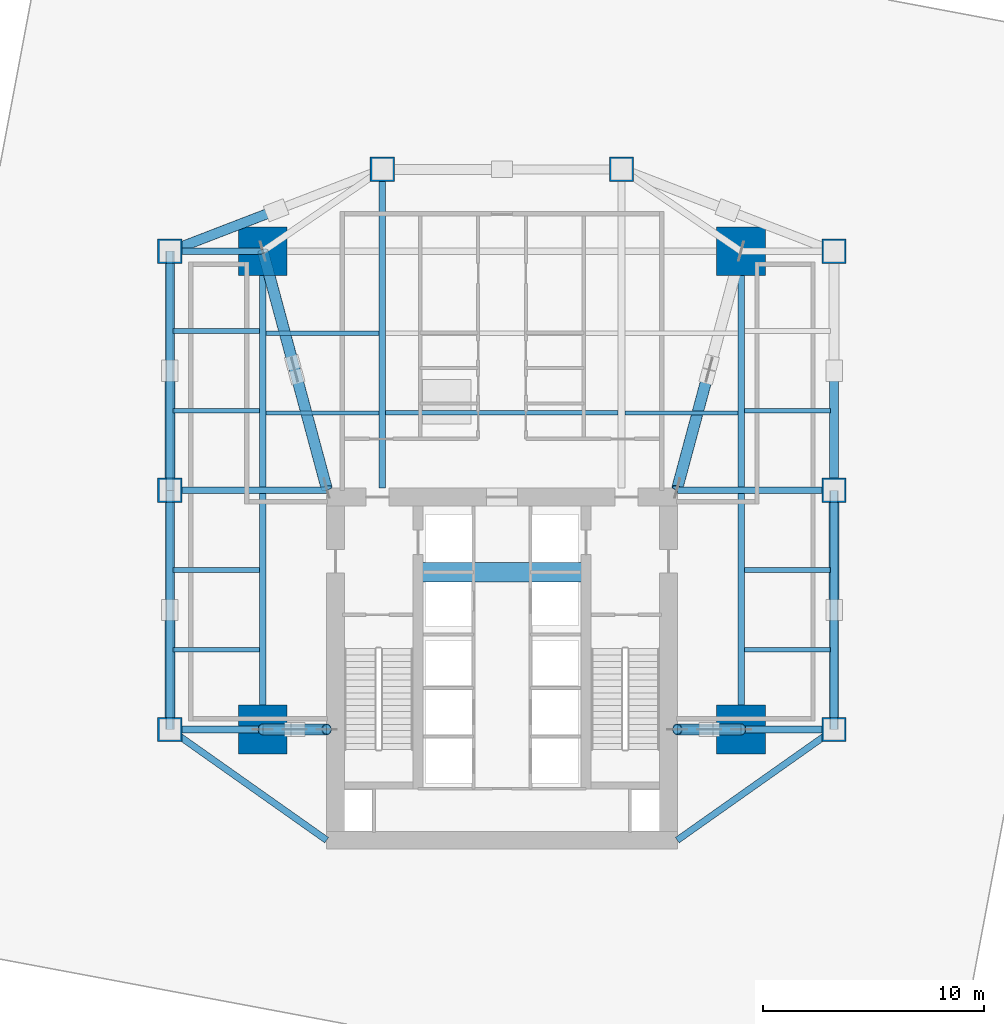
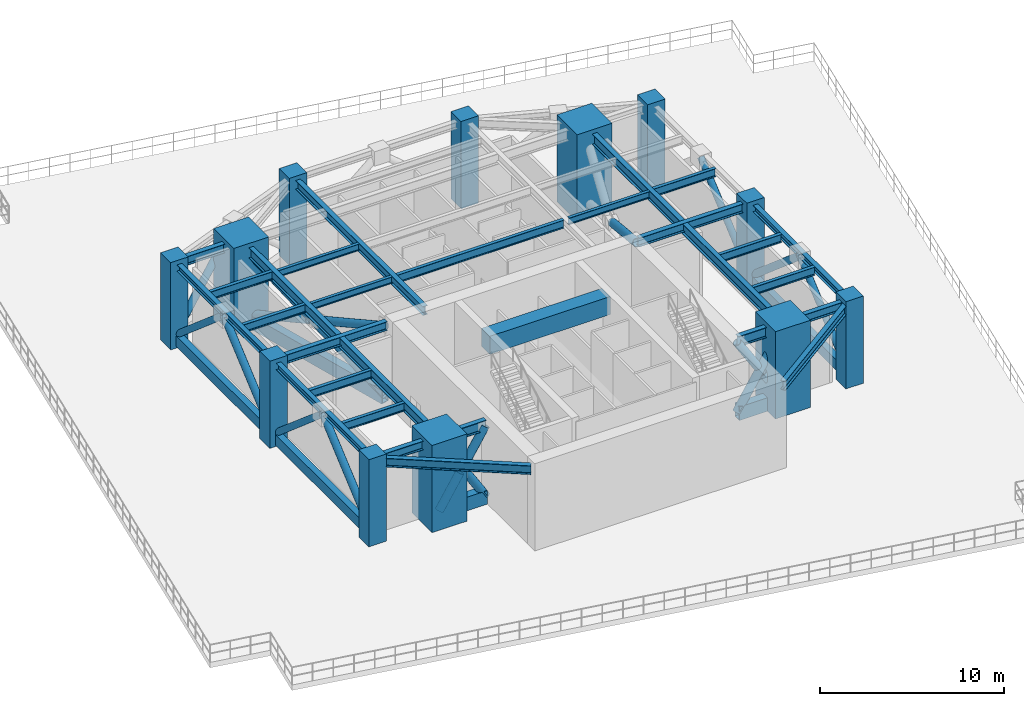
# One storey, part 1 of 10: 30 beams, 21 members, 12 columns.
"""IFC4 building model written with IfcOpenShell, lengths in metres."""

from ifc_helpers import new_model, si_unit, direction, frame, origin, origin_2d, place, context, subcontext, project, spatial, rectangle, hollow_rectangle, hollow_circle, i_section, extrude, source, transform, mapped, material, material_profile, profile_set, type_object, type_shapes, element, save


model = new_model("IFC4")

# Units and contexts
model_context = context("Model", 3, precision=1e-05, world=origin(), true_north=direction((0.0, 1.0)))
body_context = subcontext(model_context, "Body", "Model", "MODEL_VIEW")
ifc_project = project(units=[si_unit("LENGTHUNIT", "METRE"), si_unit("AREAUNIT", "SQUARE_METRE"), si_unit("VOLUMEUNIT", "CUBIC_METRE"), si_unit("PLANEANGLEUNIT", "RADIAN"), si_unit("MASSUNIT", "GRAM", prefix="KILO")], contexts=[model_context])

# Site, building, storey
site_placement = place(None, origin())
site = spatial("IfcSite", under=ifc_project, at=site_placement, CompositionType="ELEMENT")
building_placement = place(site_placement, origin())
building = spatial("IfcBuilding", under=site, at=building_placement, Name="Krantzveldt Concourse Tower", CompositionType="ELEMENT")
storey_placement = place(building_placement, frame((0.0, 0.0, 80.300048828125)))
storey = spatial("IfcBuildingStorey", under=building, at=storey_placement, Name="L19", CompositionType="ELEMENT", Elevation=80.300048828125)

# Columns
ifc_material_1 = material(Name="Concrete C60/75", Category="concrete")
ifc_material_profile_1 = material_profile(ifc_material_1, rectangle(XDim=2.199951171875, YDim=2.199951171875, at=origin_2d()), Name="Concrete C60/75", Category="concrete")
ifc_profile_set_1 = profile_set([ifc_material_profile_1], Name="Concrete C60/75 - RC 2200x2200")
column_type_1 = type_object("IfcColumnType", Name="COL-MC-2200", PredefinedType="USERDEFINED", material=ifc_profile_set_1)
shared_shape_1 = source(origin(), body_context, "Body", "SweptSolid", [
    extrude(rectangle(XDim=2.199951171875, YDim=2.199951171875, at=origin_2d()), origin(), (0.0, 0.0, 1.0), 5.800048828125),
])
type_shapes(column_type_1, [shared_shape_1])
for number, where, z_axis, x_axis, name in (
    (1, (25.199951171875, 15.89990234375, 0.0), (0.0, 0.0, 1.0), (1.0, 0.0, 0.0), "MC-SW-L19"),
    (2, (46.800048828125, 15.89990234375, 0.0), (0.0, 0.0, 1.0), (1.0, 0.0, 0.0), "MC-SE-L19"),
    (3, (46.800048828125, 37.5, 0.0), (0.0, 0.0, 1.0), (1.0, 0.0, 0.0), "MC-NE-L19"),
    (4, (25.199951171875, 37.5, 0.0), (0.0, 0.0, 1.0), (1.0, 0.0, 0.0), "MC-NW-L19"),
):
    element("IfcColumn", number, at=place(storey_placement, frame(where, z_axis=z_axis, x_axis=x_axis)), inside=storey, type_object=column_type_1, Name=name, ObjectType="MEGA COLUMN", PredefinedType="USERDEFINED", context=body_context, shape_type="MappedRepresentation", body=[
        mapped(shared_shape_1, transform((0.0, 0.0, 0.0), x_axis=(1.0, 0.0, 0.0), y_axis=(0.0, 1.0, 0.0), z_axis=(0.0, 0.0, 1.0), scale=1.0)),
    ])
ifc_material_profile_2 = material_profile(ifc_material_1, rectangle(XDim=1.10009765625, YDim=1.10009765625, at=origin_2d()), Name="Concrete C60/75", Category="concrete")
ifc_profile_set_2 = profile_set([ifc_material_profile_2], Name="Concrete C60/75 - RC 1100x1100")
column_type_2 = type_object("IfcColumnType", Name="COL-C-Z1", PredefinedType="COLUMN", material=ifc_profile_set_2)
shared_shape_2 = source(origin(), body_context, "Body", "SweptSolid", [
    extrude(rectangle(XDim=1.10009765625, YDim=1.10009765625, at=origin_2d()), origin(), (0.0, 0.0, 1.0), 5.800048828125),
])
type_shapes(column_type_2, [shared_shape_2])
for number, where, z_axis, x_axis, name in (
    (5, (21.0, 15.89990234375, 0.0), (0.0, 0.0, 1.0), (1.0, 0.0, 0.0), "PC-R01-L19"),
    (6, (21.0, 26.699951171875, 0.0), (0.0, 0.0, 1.0), (1.0, 0.0, 0.0), "PC-R02-L19"),
    (7, (21.0, 37.5, 0.0), (0.0, 0.0, 1.0), (1.0, 0.0, 0.0), "PC-R03-L19"),
    (8, (30.60009765625, 41.199951171875, 0.0), (0.0, 0.0, 1.0), (1.0, 0.0, 0.0), "PC-R04-L19"),
    (9, (41.39990234375, 41.199951171875, 0.0), (0.0, 0.0, 1.0), (1.0, 0.0, 0.0), "PC-R05-L19"),
    (10, (51.0, 37.5, 0.0), (0.0, 0.0, 1.0), (1.0, 0.0, 0.0), "PC-R06-L19"),
    (11, (51.0, 26.699951171875, 0.0), (0.0, 0.0, 1.0), (1.0, 0.0, 0.0), "PC-R07-L19"),
    (12, (51.0, 15.89990234375, 0.0), (0.0, 0.0, 1.0), (1.0, 0.0, 0.0), "PC-R08-L19"),
):
    element("IfcColumn", number, at=place(storey_placement, frame(where, z_axis=z_axis, x_axis=x_axis)), inside=storey, type_object=column_type_2, Name=name, PredefinedType="COLUMN", context=body_context, shape_type="MappedRepresentation", body=[
        mapped(shared_shape_2, transform((0.0, 0.0, 0.0), x_axis=(1.0, 0.0, 0.0), y_axis=(0.0, 1.0, 0.0), z_axis=(0.0, 0.0, 1.0), scale=1.0)),
    ])

# Beams
ifc_material_2 = material(Name="Concrete C50/60", Category="concrete")
ifc_material_profile_3 = material_profile(ifc_material_2, rectangle(XDim=0.89990234375, YDim=1.199951171875, at=origin_2d()), Name="Concrete C50/60", Category="concrete")
ifc_profile_set_3 = profile_set([ifc_material_profile_3], Name="Concrete C50/60 - RC-CB 900x1200")
beam_type_1 = type_object("IfcBeamType", Name="BM-CB-1200", PredefinedType="LINTEL", material=ifc_profile_set_3)
shared_shape_3 = source(origin(), body_context, "Body", "SweptSolid", [
    extrude(rectangle(XDim=0.89990234375, YDim=1.199951171875, at=origin_2d()), origin(), (0.0, 0.0, 1.0), 7.580078125),
])
type_shapes(beam_type_1, [shared_shape_3])
beam_1_placement = place(storey_placement, frame((32.2099609375, 23.0, 4.919921875), z_axis=(1.0, 0.0, 0.0), x_axis=(0.0, 1.0, 0.0)))
element("IfcBeam", 13, at=beam_1_placement, inside=storey, type_object=beam_type_1, Name="CB-L19-01", PredefinedType="LINTEL", context=body_context, shape_type="MappedRepresentation", body=[
    mapped(shared_shape_3, transform((0.0, 0.0, 0.0), x_axis=(1.0, 0.0, 0.0), y_axis=(0.0, 1.0, 0.0), z_axis=(0.0, 0.0, 1.0), scale=1.0)),
])
ifc_material_3 = material(Name="Steel S355J2", Category="steel")
ifc_material_profile_4 = material_profile(ifc_material_3, i_section(OverallWidth=0.300048828125, OverallDepth=0.699951171875, WebThickness=0.01708984375, FlangeThickness=0.031982421875, FilletRadius=0.027099609375, at=origin_2d()), Name="Steel S355J2", Category="steel")
ifc_profile_set_4 = profile_set([ifc_material_profile_4], Name="Steel S355J2 - HEB 700")
beam_type_2 = type_object("IfcBeamType", Name="BM-B-HEB700", PredefinedType="BEAM", material=ifc_profile_set_4)
shared_shape_4 = source(origin(), body_context, "Body", "SweptSolid", [
    extrude(i_section(OverallWidth=0.300048828125, OverallDepth=0.699951171875, WebThickness=0.01708984375, FlangeThickness=0.031982421875, FilletRadius=0.027099609375, at=origin_2d()), origin(), (0.0, 0.0, 1.0), 2.880126953125),
])
for number, where, z_axis, x_axis, name in (
    (14, (25.199951171875, 15.89990234375, 5.169921875), (1.0, 0.0, 0.0), (0.0, 1.0, 0.0), "L19 Tower Girder BG-CW1"),
    (15, (43.919921875, 15.89990234375, 5.169921875), (1.0, 0.0, 0.0), (0.0, 1.0, 0.0), "L19 Tower Girder BG-CE1"),
):
    element("IfcBeam", number, at=place(storey_placement, frame(where, z_axis=z_axis, x_axis=x_axis)), inside=storey, type_object=beam_type_2, Name=name, PredefinedType="BEAM", context=body_context, shape_type="MappedRepresentation", body=[
        mapped(shared_shape_4, transform((0.0, 0.0, 0.0), x_axis=(1.0, 0.0, 0.0), y_axis=(0.0, 1.0, 0.0), z_axis=(0.0, 0.0, 1.0), scale=1.0)),
    ])
shared_shape_5 = source(origin(), body_context, "Body", "SweptSolid", [
    extrude(i_section(OverallWidth=0.300048828125, OverallDepth=0.699951171875, WebThickness=0.01708984375, FlangeThickness=0.031982421875, FilletRadius=0.027099609375, at=origin_2d()), origin(), (0.0, 0.0, 1.0), 21.60009765625),
])
type_shapes(beam_type_2, [shared_shape_4, shared_shape_5])
for number, where, z_axis, x_axis, name in (
    (16, (25.199951171875, 15.89990234375, 5.169921875), (0.0, 1.0, 0.0), (-1.0, 0.0, 0.0), "L19 Tower Girder BG-MW"),
    (17, (46.800048828125, 15.89990234375, 5.169921875), (0.0, 1.0, 0.0), (-1.0, 0.0, 0.0), "L19 Tower Girder BG-ME"),
):
    element("IfcBeam", number, at=place(storey_placement, frame(where, z_axis=z_axis, x_axis=x_axis)), inside=storey, type_object=beam_type_2, Name=name, PredefinedType="BEAM", context=body_context, shape_type="MappedRepresentation", body=[
        mapped(shared_shape_5, transform((0.0, 0.0, 0.0), x_axis=(1.0, 0.0, 0.0), y_axis=(0.0, 1.0, 0.0), z_axis=(0.0, 0.0, 1.0), scale=1.0)),
    ])
ifc_material_4 = material(Name="Steel S355JR", Category="steel")
ifc_material_profile_5 = material_profile(ifc_material_4, i_section(OverallWidth=0.300048828125, OverallDepth=0.590087890625, WebThickness=0.012939453125, FlangeThickness=0.02490234375, FilletRadius=0.027099609375, at=origin_2d()), Name="Steel S355JR", Category="steel")
ifc_profile_set_5 = profile_set([ifc_material_profile_5], Name="Steel S355JR - HEA 600")
beam_type_3 = type_object("IfcBeamType", Name="BM-B-HEA600", PredefinedType="BEAM", material=ifc_profile_set_5)
shared_shape_6 = source(origin(), body_context, "Body", "SweptSolid", [
    extrude(i_section(OverallWidth=0.300048828125, OverallDepth=0.590087890625, WebThickness=0.012939453125, FlangeThickness=0.02490234375, FilletRadius=0.027099609375, at=origin_2d()), origin(), (0.0, 0.0, 1.0), 7.080078125),
])
for number, where, z_axis, x_axis, name in (
    (18, (21.0, 26.699951171875, 5.224853515625), (1.0, 0.0, 0.0), (0.0, 1.0, 0.0), "L19 Tower Girder BG-CW2"),
    (19, (43.919921875, 26.699951171875, 5.224853515625), (1.0, 0.0, 0.0), (0.0, 1.0, 0.0), "L19 Tower Girder BG-CE2"),
):
    element("IfcBeam", number, at=place(storey_placement, frame(where, z_axis=z_axis, x_axis=x_axis)), inside=storey, type_object=beam_type_3, Name=name, PredefinedType="BEAM", context=body_context, shape_type="MappedRepresentation", body=[
        mapped(shared_shape_6, transform((0.0, 0.0, 0.0), x_axis=(1.0, 0.0, 0.0), y_axis=(0.0, 1.0, 0.0), z_axis=(0.0, 0.0, 1.0), scale=1.0)),
    ])
shared_shape_7 = source(origin(), body_context, "Body", "SweptSolid", [
    extrude(i_section(OverallWidth=0.300048828125, OverallDepth=0.590087890625, WebThickness=0.012939453125, FlangeThickness=0.02490234375, FilletRadius=0.027099609375, at=origin_2d()), origin(), (0.0, 0.0, 1.0), 14.39990234375),
])
beam_2_placement = place(storey_placement, frame((30.60009765625, 26.800048828125, 5.224853515625), z_axis=(0.0, 1.0, 0.0), x_axis=(-1.0, 0.0, 0.0)))
element("IfcBeam", 20, at=beam_2_placement, inside=storey, type_object=beam_type_3, Name="L19 Tower Girder BG-CNW", PredefinedType="BEAM", context=body_context, shape_type="MappedRepresentation", body=[
    mapped(shared_shape_7, transform((0.0, 0.0, 0.0), x_axis=(1.0, 0.0, 0.0), y_axis=(0.0, 1.0, 0.0), z_axis=(0.0, 0.0, 1.0), scale=1.0)),
])
ifc_material_profile_6 = material_profile(ifc_material_4, i_section(OverallWidth=0.300048828125, OverallDepth=0.43994140625, WebThickness=0.011474609375, FlangeThickness=0.02099609375, FilletRadius=0.027099609375, at=origin_2d()), Name="Steel S355JR", Category="steel")
ifc_profile_set_6 = profile_set([ifc_material_profile_6], Name="Steel S355JR - HEA 450")
beam_type_4 = type_object("IfcBeamType", Name="BM-SP-HEA450", PredefinedType="SPANDREL", material=ifc_profile_set_6)
shared_shape_8 = source(origin(), body_context, "Body", "SweptSolid", [
    extrude(i_section(OverallWidth=0.300048828125, OverallDepth=0.43994140625, WebThickness=0.011474609375, FlangeThickness=0.02099609375, FilletRadius=0.027099609375, at=origin_2d()), origin(), (0.0, 0.0, 1.0), 10.800048828125),
])
type_shapes(beam_type_4, [shared_shape_8])
for number, where, z_axis, x_axis, name in (
    (21, (21.0, 15.89990234375, 5.300048828125), (0.0, 1.0, 0.0), (-1.0, 0.0, 0.0), "L19 Tower Girder SP-R01"),
    (22, (21.0, 26.699951171875, 5.300048828125), (0.0, 1.0, 0.0), (-1.0, 0.0, 0.0), "L19 Tower Girder SP-R02"),
    (23, (51.0, 26.699951171875, 5.300048828125), (0.0, -1.0, 0.0), (1.0, 0.0, 0.0), "L19 Tower Girder SP-R07"),
):
    element("IfcBeam", number, at=place(storey_placement, frame(where, z_axis=z_axis, x_axis=x_axis)), inside=storey, type_object=beam_type_4, Name=name, PredefinedType="SPANDREL", context=body_context, shape_type="MappedRepresentation", body=[
        mapped(shared_shape_8, transform((0.0, 0.0, 0.0), x_axis=(1.0, 0.0, 0.0), y_axis=(0.0, 1.0, 0.0), z_axis=(0.0, 0.0, 1.0), scale=1.0)),
    ])
shared_shape_9 = source(origin(), body_context, "Body", "SweptSolid", [
    extrude(i_section(OverallWidth=0.300048828125, OverallDepth=0.590087890625, WebThickness=0.012939453125, FlangeThickness=0.02490234375, FilletRadius=0.027099609375, at=origin_2d()), origin(), (0.0, 0.0, 1.0), 4.199951171875),
])
for number, where, z_axis, x_axis, name in (
    (24, (21.0, 15.89990234375, 5.224853515625), (1.0, 0.0, 0.0), (0.0, 1.0, 0.0), "L19 Tower Girder BR-RL1"),
    (25, (21.0, 37.5, 5.224853515625), (1.0, 0.0, 0.0), (0.0, 1.0, 0.0), "L19 Tower Girder BR-RL3"),
    (26, (46.800048828125, 15.89990234375, 5.224853515625), (1.0, 0.0, 0.0), (0.0, 1.0, 0.0), "L19 Tower Girder BR-RR1"),
):
    element("IfcBeam", number, at=place(storey_placement, frame(where, z_axis=z_axis, x_axis=x_axis)), inside=storey, type_object=beam_type_3, Name=name, PredefinedType="BEAM", context=body_context, shape_type="MappedRepresentation", body=[
        mapped(shared_shape_9, transform((0.0, 0.0, 0.0), x_axis=(1.0, 0.0, 0.0), y_axis=(0.0, 1.0, 0.0), z_axis=(0.0, 0.0, 1.0), scale=1.0)),
    ])
shared_shape_10 = source(origin(), body_context, "Body", "SweptSolid", [
    extrude(i_section(OverallWidth=0.300048828125, OverallDepth=0.590087890625, WebThickness=0.012939453125, FlangeThickness=0.02490234375, FilletRadius=0.027099609375, at=origin_2d()), origin(), (0.0, 0.0, 1.0), 8.667724609375),
])
type_shapes(beam_type_3, [shared_shape_6, shared_shape_7, shared_shape_9, shared_shape_10])
for number, where, z_axis, x_axis, name in (
    (27, (21.0, 15.89990234375, 5.224853515625), (0.81684294656, -0.576860122261, 0.0), (0.576860122261, 0.81684294656, 0.0), "L19 Tower Girder BR-CSW"),
    (28, (51.0, 15.89990234375, 5.224853515625), (-0.81684294656, -0.576860122261, 0.0), (0.576860122261, -0.81684294656, 0.0), "L19 Tower Girder BR-CSE"),
):
    element("IfcBeam", number, at=place(storey_placement, frame(where, z_axis=z_axis, x_axis=x_axis)), inside=storey, type_object=beam_type_3, Name=name, PredefinedType="BEAM", context=body_context, shape_type="MappedRepresentation", body=[
        mapped(shared_shape_10, transform((0.0, 0.0, 0.0), x_axis=(1.0, 0.0, 0.0), y_axis=(0.0, 1.0, 0.0), z_axis=(0.0, 0.0, 1.0), scale=1.0)),
    ])
ifc_material_profile_7 = material_profile(ifc_material_4, i_section(OverallWidth=0.2099609375, OverallDepth=0.550048828125, WebThickness=0.010986328125, FlangeThickness=0.01708984375, FilletRadius=0.02392578125, at=origin_2d()), Name="Steel S355JR", Category="steel")
ifc_profile_set_7 = profile_set([ifc_material_profile_7], Name="Steel S355JR - IPE 550")
beam_type_5 = type_object("IfcBeamType", Name="BM-J-IPE550", PredefinedType="JOIST", material=ifc_profile_set_7)
shared_shape_11 = source(origin(), body_context, "Body", "SweptSolid", [
    extrude(i_section(OverallWidth=0.2099609375, OverallDepth=0.550048828125, WebThickness=0.010986328125, FlangeThickness=0.01708984375, FilletRadius=0.02392578125, at=origin_2d()), origin(), (0.0, 0.0, 1.0), 10.5),
])
beam_3_placement = place(storey_placement, frame((30.75, 30.199951171875, 5.244873046875), z_axis=(1.0, 0.0, 0.0), x_axis=(0.0, 1.0, 0.0)))
element("IfcBeam", 29, at=beam_3_placement, inside=storey, type_object=beam_type_5, Name="L19 Secondary Floor Joist JN-C1", PredefinedType="JOIST", context=body_context, shape_type="MappedRepresentation", body=[
    mapped(shared_shape_11, transform((0.0, 0.0, 0.0), x_axis=(1.0, 0.0, 0.0), y_axis=(0.0, 1.0, 0.0), z_axis=(0.0, 0.0, 1.0), scale=1.0)),
])
ifc_material_profile_8 = material_profile(ifc_material_4, i_section(OverallWidth=0.18994140625, OverallDepth=0.449951171875, WebThickness=0.009521484375, FlangeThickness=0.0146484375, FilletRadius=0.02099609375, at=origin_2d()), Name="Steel S355JR", Category="steel")
ifc_profile_set_8 = profile_set([ifc_material_profile_8], Name="Steel S355JR - IPE 450")
beam_type_6 = type_object("IfcBeamType", Name="BM-J-IPE450", PredefinedType="JOIST", material=ifc_profile_set_8)
shared_shape_12 = source(origin(), body_context, "Body", "SweptSolid", [
    extrude(i_section(OverallWidth=0.18994140625, OverallDepth=0.449951171875, WebThickness=0.009521484375, FlangeThickness=0.0146484375, FilletRadius=0.02099609375, at=origin_2d()), origin(), (0.0, 0.0, 1.0), 5.099853515625),
])
type_shapes(beam_type_6, [shared_shape_12])
for number, where, z_axis, x_axis, name in (
    (30, (25.35009765625, 30.199951171875, 5.294921875), (1.0, 0.0, 0.0), (0.0, 1.0, 0.0), "L19 Secondary Floor Joist JN-W1"),
    (31, (25.35009765625, 33.800048828125, 5.294921875), (1.0, 0.0, 0.0), (0.0, 1.0, 0.0), "L19 Secondary Floor Joist JN-W2"),
    (32, (41.550048828125, 30.199951171875, 5.294921875), (1.0, 0.0, 0.0), (0.0, 1.0, 0.0), "L19 Secondary Floor Joist JN-E1"),
):
    element("IfcBeam", number, at=place(storey_placement, frame(where, z_axis=z_axis, x_axis=x_axis)), inside=storey, type_object=beam_type_6, Name=name, PredefinedType="JOIST", context=body_context, shape_type="MappedRepresentation", body=[
        mapped(shared_shape_12, transform((0.0, 0.0, 0.0), x_axis=(1.0, 0.0, 0.0), y_axis=(0.0, 1.0, 0.0), z_axis=(0.0, 0.0, 1.0), scale=1.0)),
    ])
shared_shape_13 = source(origin(), body_context, "Body", "SweptSolid", [
    extrude(i_section(OverallWidth=0.2099609375, OverallDepth=0.550048828125, WebThickness=0.010986328125, FlangeThickness=0.01708984375, FilletRadius=0.02392578125, at=origin_2d()), origin(), (0.0, 0.0, 1.0), 3.900146484375),
])
type_shapes(beam_type_5, [shared_shape_11, shared_shape_13])
for number, where, z_axis, x_axis, name in (
    (33, (21.14990234375, 19.5, 5.244873046875), (1.0, 0.0, 0.0), (0.0, 1.0, 0.0), "L19 Secondary Floor Joist JW-1"),
    (34, (21.14990234375, 23.10009765625, 5.244873046875), (1.0, 0.0, 0.0), (0.0, 1.0, 0.0), "L19 Secondary Floor Joist JW-2"),
    (35, (21.14990234375, 30.300048828125, 5.244873046875), (1.0, 0.0, 0.0), (0.0, 1.0, 0.0), "L19 Secondary Floor Joist JW-3"),
    (36, (21.14990234375, 33.89990234375, 5.244873046875), (1.0, 0.0, 0.0), (0.0, 1.0, 0.0), "L19 Secondary Floor Joist JW-4"),
    (37, (46.949951171875, 19.5, 5.244873046875), (1.0, 0.0, 0.0), (0.0, 1.0, 0.0), "L19 Secondary Floor Joist JE-1"),
    (38, (46.949951171875, 23.10009765625, 5.244873046875), (1.0, 0.0, 0.0), (0.0, 1.0, 0.0), "L19 Secondary Floor Joist JE-2"),
    (39, (46.949951171875, 30.300048828125, 5.244873046875), (1.0, 0.0, 0.0), (0.0, 1.0, 0.0), "L19 Secondary Floor Joist JE-3"),
):
    element("IfcBeam", number, at=place(storey_placement, frame(where, z_axis=z_axis, x_axis=x_axis)), inside=storey, type_object=beam_type_5, Name=name, PredefinedType="JOIST", context=body_context, shape_type="MappedRepresentation", body=[
        mapped(shared_shape_13, transform((0.0, 0.0, 0.0), x_axis=(1.0, 0.0, 0.0), y_axis=(0.0, 1.0, 0.0), z_axis=(0.0, 0.0, 1.0), scale=1.0)),
    ])
ifc_material_profile_9 = material_profile(ifc_material_3, hollow_rectangle(XDim=0.5, YDim=0.89990234375, WallThickness=0.044921875, at=origin_2d()), Name="Steel S355J2", Category="steel")
ifc_profile_set_9 = profile_set([ifc_material_profile_9], Name="Steel S355J2 - RHS 900x500x45")
beam_type_7 = type_object("IfcBeamType", Name="BM-OT-CHD900", PredefinedType="BEAM", material=ifc_profile_set_9)
shared_shape_14 = source(origin(), body_context, "Body", "SweptSolid", [
    extrude(hollow_rectangle(XDim=0.5, YDim=0.89990234375, WallThickness=0.044921875, at=origin_2d()), origin(), (0.0, 0.0, 1.0), 2.880126953125),
])
for number, where, z_axis, x_axis, name in (
    (40, (28.080078125, 15.89990234375, 0.449951171875), (-1.0, 0.0, 0.0), (0.0, -1.0, 0.0), "OT-SW-L19-BC"),
    (41, (43.919921875, 15.89990234375, 0.449951171875), (1.0, 0.0, 0.0), (0.0, 1.0, 0.0), "OT-SE-L19-BC"),
):
    element("IfcBeam", number, at=place(storey_placement, frame(where, z_axis=z_axis, x_axis=x_axis)), inside=storey, type_object=beam_type_7, Name=name, PredefinedType="BEAM", context=body_context, shape_type="MappedRepresentation", body=[
        mapped(shared_shape_14, transform((0.0, 0.0, 0.0), x_axis=(1.0, 0.0, 0.0), y_axis=(0.0, 1.0, 0.0), z_axis=(0.0, 0.0, 1.0), scale=1.0)),
    ])

# Members
ifc_material_profile_10 = material_profile(ifc_material_3, hollow_circle(Radius=0.25390625, WallThickness=0.035888671875, at=origin_2d()), Name="Steel S355J2", Category="steel")
ifc_profile_set_10 = profile_set([ifc_material_profile_10], Name="Steel S355J2 - CHS 508x36")
member_type_1 = type_object("IfcMemberType", Name="MB-OB-CHS508", PredefinedType="BRACE", material=ifc_profile_set_10)
shared_shape_15 = source(origin(), body_context, "Body", "SweptSolid", [
    extrude(hollow_circle(Radius=0.25390625, WallThickness=0.035888671875, at=origin_2d()), origin(), (0.0, 0.0, 1.0), 5.4443359375),
])
for number, where, z_axis, x_axis, name in (
    (42, (28.080078125, 15.89990234375, 0.449951171875), (-0.52901505659, 0.0, 0.848612437984), (0.0, -1.0, 0.0), "Brace Diagonal OT-SW-L19-D1"),
    (43, (43.919921875, 15.89990234375, 0.449951171875), (0.52901505659, 0.0, 0.848612437984), (0.0, 1.0, 0.0), "Brace Diagonal OT-SE-L19-D1"),
):
    element("IfcMember", number, at=place(storey_placement, frame(where, z_axis=z_axis, x_axis=x_axis)), inside=storey, type_object=member_type_1, Name=name, PredefinedType="BRACE", context=body_context, shape_type="MappedRepresentation", body=[
        mapped(shared_shape_15, transform((0.0, 0.0, 0.0), x_axis=(1.0, 0.0, 0.0), y_axis=(0.0, 1.0, 0.0), z_axis=(0.0, 0.0, 1.0), scale=1.0)),
    ])
shared_shape_16 = source(origin(), body_context, "Body", "SweptSolid", [
    extrude(hollow_circle(Radius=0.25390625, WallThickness=0.035888671875, at=origin_2d()), origin(), (0.0, 0.0, 1.0), 2.439453125),
])
for number, where, z_axis, x_axis, name in (
    (44, (28.080078125, 15.89990234375, 5.070068359375), (-0.529036007467, 0.0, -0.848599377093), (0.0, -1.0, 0.0), "Brace Diagonal OT-SW-L19-D2A"),
    (45, (43.919921875, 15.89990234375, 5.070068359375), (0.529036007467, 0.0, -0.848599377093), (0.0, 1.0, 0.0), "Brace Diagonal OT-SE-L19-D2A"),
):
    element("IfcMember", number, at=place(storey_placement, frame(where, z_axis=z_axis, x_axis=x_axis)), inside=storey, type_object=member_type_1, Name=name, PredefinedType="BRACE", context=body_context, shape_type="MappedRepresentation", body=[
        mapped(shared_shape_16, transform((0.0, 0.0, 0.0), x_axis=(1.0, 0.0, 0.0), y_axis=(0.0, 1.0, 0.0), z_axis=(0.0, 0.0, 1.0), scale=1.0)),
    ])
shared_shape_17 = source(origin(), body_context, "Body", "SweptSolid", [
    extrude(hollow_circle(Radius=0.25390625, WallThickness=0.035888671875, at=origin_2d()), origin(), (0.0, 0.0, 1.0), 2.43896484375),
])
for number, where, z_axis, x_axis, name in (
    (46, (26.490234375, 15.89990234375, 2.519775390625), (-0.529008862958, 0.0, -0.84861629899), (0.0, -1.0, 0.0), "Brace Diagonal OT-SW-L19-D2B"),
    (47, (45.509765625, 15.89990234375, 2.519775390625), (0.529008862958, 0.0, -0.84861629899), (0.0, 1.0, 0.0), "Brace Diagonal OT-SE-L19-D2B"),
):
    element("IfcMember", number, at=place(storey_placement, frame(where, z_axis=z_axis, x_axis=x_axis)), inside=storey, type_object=member_type_1, Name=name, PredefinedType="BRACE", context=body_context, shape_type="MappedRepresentation", body=[
        mapped(shared_shape_17, transform((0.0, 0.0, 0.0), x_axis=(1.0, 0.0, 0.0), y_axis=(0.0, 1.0, 0.0), z_axis=(0.0, 0.0, 1.0), scale=1.0)),
    ])

# Beam
shared_shape_18 = source(origin(), body_context, "Body", "SweptSolid", [
    extrude(hollow_rectangle(XDim=0.5, YDim=0.89990234375, WallThickness=0.044921875, at=origin_2d()), origin(), (0.0, 0.0, 1.0), 11.080810546875),
])
type_shapes(beam_type_7, [shared_shape_14, shared_shape_18])
beam_4_placement = place(storey_placement, frame((28.080078125, 26.800048828125, 0.449951171875), z_axis=(-0.25992053364, 0.965630009989, 0.0), x_axis=(-0.965630009989, -0.25992053364, 0.0)))
element("IfcBeam", 48, at=beam_4_placement, inside=storey, type_object=beam_type_7, Name="OT-NW-L19-BC", PredefinedType="BEAM", context=body_context, shape_type="MappedRepresentation", body=[
    mapped(shared_shape_18, transform((0.0, 0.0, 0.0), x_axis=(1.0, 0.0, 0.0), y_axis=(0.0, 1.0, 0.0), z_axis=(0.0, 0.0, 1.0), scale=1.0)),
])

# Members
shared_shape_19 = source(origin(), body_context, "Body", "SweptSolid", [
    extrude(hollow_circle(Radius=0.25390625, WallThickness=0.035888671875, at=origin_2d()), origin(), (0.0, 0.0, 1.0), 12.00537109375),
])
member_1_placement = place(storey_placement, frame((28.080078125, 26.800048828125, 0.449951171875), z_axis=(-0.239902673171, 0.891261715441, 0.384836669245), x_axis=(-0.965630009989, -0.25992053364, 0.0)))
element("IfcMember", 49, at=member_1_placement, inside=storey, type_object=member_type_1, Name="Brace Diagonal OT-NW-L19-D1", PredefinedType="BRACE", context=body_context, shape_type="MappedRepresentation", body=[
    mapped(shared_shape_19, transform((0.0, 0.0, 0.0), x_axis=(1.0, 0.0, 0.0), y_axis=(0.0, 1.0, 0.0), z_axis=(0.0, 0.0, 1.0), scale=1.0)),
])
shared_shape_20 = source(origin(), body_context, "Body", "SweptSolid", [
    extrude(hollow_circle(Radius=0.25390625, WallThickness=0.035888671875, at=origin_2d()), origin(), (0.0, 0.0, 1.0), 5.645263671875),
])
for number, where, z_axis, x_axis, name in (
    (50, (28.080078125, 26.800048828125, 5.070068359375), (-0.239895965447, 0.891252218484, -0.384862844152), (-0.965631138886, -0.259916339645, 0.0), "Brace Diagonal OT-NW-L19-D2A"),
    (51, (43.919921875, 26.800048828125, 5.070068359375), (0.239895965447, 0.891252218484, -0.384862844152), (-0.965631138886, 0.259916339645, 0.0), "Brace Diagonal OT-NE-L19-D2A"),
):
    element("IfcMember", number, at=place(storey_placement, frame(where, z_axis=z_axis, x_axis=x_axis)), inside=storey, type_object=member_type_1, Name=name, PredefinedType="BRACE", context=body_context, shape_type="MappedRepresentation", body=[
        mapped(shared_shape_20, transform((0.0, 0.0, 0.0), x_axis=(1.0, 0.0, 0.0), y_axis=(0.0, 1.0, 0.0), z_axis=(0.0, 0.0, 1.0), scale=1.0)),
    ])
shared_shape_21 = source(origin(), body_context, "Body", "SweptSolid", [
    extrude(hollow_circle(Radius=0.25390625, WallThickness=0.035888671875, at=origin_2d()), origin(), (0.0, 0.0, 1.0), 5.64501953125),
])
type_shapes(member_type_1, [shared_shape_15, shared_shape_16, shared_shape_17, shared_shape_19, shared_shape_20, shared_shape_21])
member_2_placement = place(storey_placement, frame((26.55419921875, 32.46875, 2.622314453125), z_axis=(-0.239899958271, 0.891267052469, -0.384826001207), x_axis=(-0.965631138886, -0.259916339645, 0.0)))
element("IfcMember", 52, at=member_2_placement, inside=storey, type_object=member_type_1, Name="Brace Diagonal OT-NW-L19-D2B", PredefinedType="BRACE", context=body_context, shape_type="MappedRepresentation", body=[
    mapped(shared_shape_21, transform((0.0, 0.0, 0.0), x_axis=(1.0, 0.0, 0.0), y_axis=(0.0, 1.0, 0.0), z_axis=(0.0, 0.0, 1.0), scale=1.0)),
])
ifc_material_profile_11 = material_profile(ifc_material_3, hollow_rectangle(XDim=0.39990234375, YDim=0.699951171875, WallThickness=0.034912109375, at=origin_2d()), Name="Steel S355J2", Category="steel")
ifc_profile_set_11 = profile_set([ifc_material_profile_11], Name="Steel S355J2 - RHS 700x400x35")
member_type_2 = type_object("IfcMemberType", Name="MB-BC-RHS700", PredefinedType="CHORD", material=ifc_profile_set_11)
shared_shape_22 = source(origin(), body_context, "Body", "SweptSolid", [
    extrude(hollow_rectangle(XDim=0.39990234375, YDim=0.699951171875, WallThickness=0.034912109375, at=origin_2d()), origin(), (0.0, 0.0, 1.0), 10.800048828125),
])
type_shapes(member_type_2, [shared_shape_22])
for number, where, z_axis, x_axis, name in (
    (53, (21.0, 15.89990234375, 0.449951171875), (0.0, 1.0, 0.0), (-1.0, 0.0, 0.0), "BT-L19-BC-01"),
    (54, (21.0, 26.699951171875, 0.449951171875), (0.0, 1.0, 0.0), (-1.0, 0.0, 0.0), "BT-L19-BC-02"),
    (55, (51.0, 26.699951171875, 0.449951171875), (0.0, -1.0, 0.0), (1.0, 0.0, 0.0), "BT-L19-BC-07"),
):
    element("IfcMember", number, at=place(storey_placement, frame(where, z_axis=z_axis, x_axis=x_axis)), inside=storey, type_object=member_type_2, Name=name, PredefinedType="CHORD", context=body_context, shape_type="MappedRepresentation", body=[
        mapped(shared_shape_22, transform((0.0, 0.0, 0.0), x_axis=(1.0, 0.0, 0.0), y_axis=(0.0, 1.0, 0.0), z_axis=(0.0, 0.0, 1.0), scale=1.0)),
    ])
ifc_material_profile_12 = material_profile(ifc_material_3, hollow_circle(Radius=0.228515625, WallThickness=0.030029296875, at=origin_2d()), Name="Steel S355J2", Category="steel")
ifc_profile_set_12 = profile_set([ifc_material_profile_12], Name="Steel S355J2 - CHS 457x30")
member_type_3 = type_object("IfcMemberType", Name="MB-BB-CHS457", PredefinedType="BRACE", material=ifc_profile_set_12)
shared_shape_23 = source(origin(), body_context, "Body", "SweptSolid", [
    extrude(hollow_circle(Radius=0.228515625, WallThickness=0.030029296875, at=origin_2d()), origin(), (0.0, 0.0, 1.0), 7.10693359375),
])
for number, where, z_axis, x_axis, name in (
    (56, (21.0, 15.89990234375, 0.449951171875), (0.0, 0.759852812207, 0.65009514979), (-1.0, 0.0, 0.0), "Brace Diagonal BT-L19-D1-01"),
    (57, (21.0, 26.699951171875, 0.449951171875), (0.0, 0.759852812207, 0.65009514979), (-1.0, 0.0, 0.0), "Brace Diagonal BT-L19-D1-02"),
):
    element("IfcMember", number, at=place(storey_placement, frame(where, z_axis=z_axis, x_axis=x_axis)), inside=storey, type_object=member_type_3, Name=name, PredefinedType="BRACE", context=body_context, shape_type="MappedRepresentation", body=[
        mapped(shared_shape_23, transform((0.0, 0.0, 0.0), x_axis=(1.0, 0.0, 0.0), y_axis=(0.0, 1.0, 0.0), z_axis=(0.0, 0.0, 1.0), scale=1.0)),
    ])
ifc_material_profile_13 = material_profile(ifc_material_3, hollow_circle(Radius=0.203125, WallThickness=0.02490234375, at=origin_2d()), Name="Steel S355J2", Category="steel")
ifc_profile_set_13 = profile_set([ifc_material_profile_13], Name="Steel S355J2 - CHS 406.4x25")
member_type_4 = type_object("IfcMemberType", Name="MB-BB-CHS406", PredefinedType="BRACE", material=ifc_profile_set_13)
shared_shape_24 = source(origin(), body_context, "Body", "SweptSolid", [
    extrude(hollow_circle(Radius=0.203125, WallThickness=0.02490234375, at=origin_2d()), origin(), (0.0, 0.0, 1.0), 7.106689453125),
])
for number, where, z_axis, x_axis, name in (
    (58, (21.0, 26.699951171875, 0.449951171875), (0.0, -0.759838293269, 0.650112119623), (1.0, 0.0, 0.0), "Brace Diagonal BT-L19-D2-01"),
    (59, (21.0, 37.5, 0.449951171875), (0.0, -0.759838293269, 0.650112119623), (1.0, 0.0, 0.0), "Brace Diagonal BT-L19-D2-02"),
):
    element("IfcMember", number, at=place(storey_placement, frame(where, z_axis=z_axis, x_axis=x_axis)), inside=storey, type_object=member_type_4, Name=name, PredefinedType="BRACE", context=body_context, shape_type="MappedRepresentation", body=[
        mapped(shared_shape_24, transform((0.0, 0.0, 0.0), x_axis=(1.0, 0.0, 0.0), y_axis=(0.0, 1.0, 0.0), z_axis=(0.0, 0.0, 1.0), scale=1.0)),
    ])
shared_shape_25 = source(origin(), body_context, "Body", "SweptSolid", [
    extrude(hollow_circle(Radius=0.228515625, WallThickness=0.030029296875, at=origin_2d()), origin(), (0.0, 0.0, 1.0), 6.914306640625),
])
member_3_placement = place(storey_placement, frame((21.0, 37.5, 0.449951171875), z_axis=(0.694211294291, 0.26757200489, 0.668188522108), x_axis=(-0.359643657726, 0.933089727442, 0.0)))
element("IfcMember", 60, at=member_3_placement, inside=storey, type_object=member_type_3, Name="Brace Diagonal BT-L19-D1-03", PredefinedType="BRACE", context=body_context, shape_type="MappedRepresentation", body=[
    mapped(shared_shape_25, transform((0.0, 0.0, 0.0), x_axis=(1.0, 0.0, 0.0), y_axis=(0.0, 1.0, 0.0), z_axis=(0.0, 0.0, 1.0), scale=1.0)),
])
shared_shape_26 = source(origin(), body_context, "Body", "SweptSolid", [
    extrude(hollow_circle(Radius=0.228515625, WallThickness=0.030029296875, at=origin_2d()), origin(), (0.0, 0.0, 1.0), 7.106689453125),
])
type_shapes(member_type_3, [shared_shape_23, shared_shape_25, shared_shape_26])
member_4_placement = place(storey_placement, frame((51.0, 26.699951171875, 0.449951171875), z_axis=(0.0, -0.759838293269, 0.650112119623), x_axis=(1.0, 0.0, 0.0)))
element("IfcMember", 61, at=member_4_placement, inside=storey, type_object=member_type_3, Name="Brace Diagonal BT-L19-D1-07", PredefinedType="BRACE", context=body_context, shape_type="MappedRepresentation", body=[
    mapped(shared_shape_26, transform((0.0, 0.0, 0.0), x_axis=(1.0, 0.0, 0.0), y_axis=(0.0, 1.0, 0.0), z_axis=(0.0, 0.0, 1.0), scale=1.0)),
])
shared_shape_27 = source(origin(), body_context, "Body", "SweptSolid", [
    extrude(hollow_circle(Radius=0.203125, WallThickness=0.02490234375, at=origin_2d()), origin(), (0.0, 0.0, 1.0), 7.10693359375),
])
type_shapes(member_type_4, [shared_shape_24, shared_shape_27])
for number, where, z_axis, x_axis, name in (
    (62, (51.0, 26.699951171875, 0.449951171875), (0.0, 0.759852812207, 0.65009514979), (-1.0, 0.0, 0.0), "Brace Diagonal BT-L19-D2-06"),
    (63, (51.0, 15.89990234375, 0.449951171875), (0.0, 0.759852812207, 0.65009514979), (-1.0, 0.0, 0.0), "Brace Diagonal BT-L19-D2-07"),
):
    element("IfcMember", number, at=place(storey_placement, frame(where, z_axis=z_axis, x_axis=x_axis)), inside=storey, type_object=member_type_4, Name=name, PredefinedType="BRACE", context=body_context, shape_type="MappedRepresentation", body=[
        mapped(shared_shape_27, transform((0.0, 0.0, 0.0), x_axis=(1.0, 0.0, 0.0), y_axis=(0.0, 1.0, 0.0), z_axis=(0.0, 0.0, 1.0), scale=1.0)),
    ])

save(model, "model.ifc")
